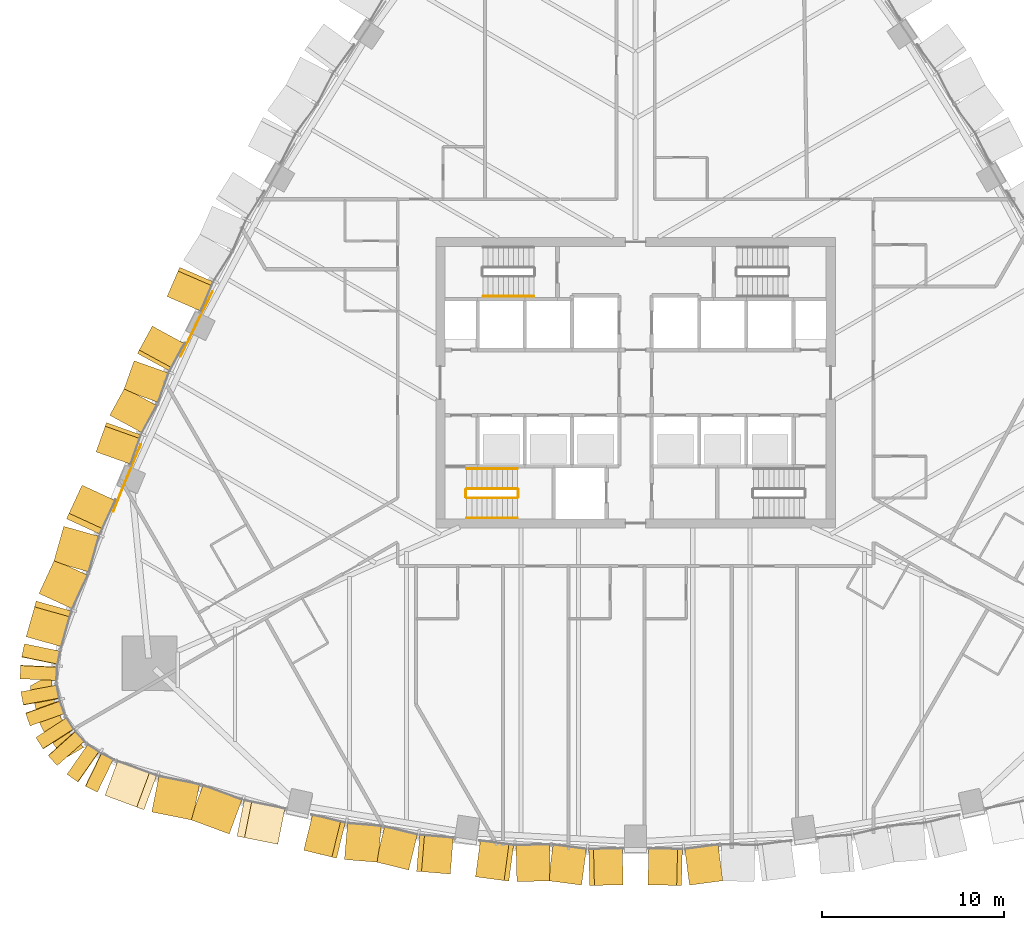
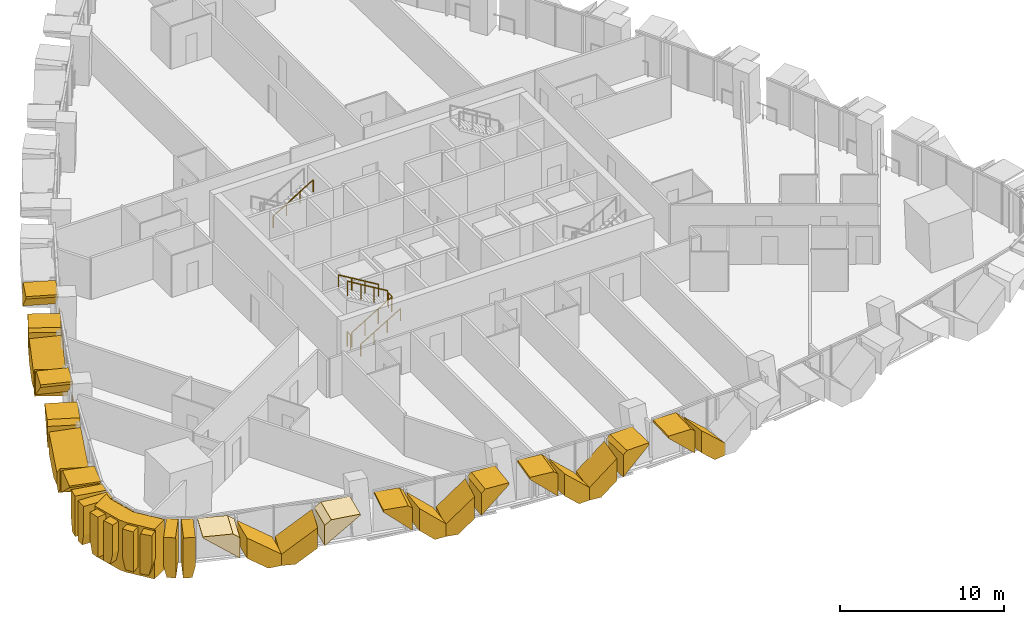
# One storey, part 18 of 22: 32 coverings, 9 railings.
"""IFC4 building model written with IfcOpenShell, lengths in metres."""

import ifcopenshell
import ifcopenshell.guid

model = None  # the IFC model being written
_history = None  # IfcOwnerHistory: only IFC2X3 demands one
_inside = {}  # id of a spatial element -> (the spatial element, [elements in it])
_under = {}  # id of a project, library or spatial element -> (it, [spatial elements below it])
_declared = {}  # id of a project -> (the project, [libraries it declares])
_typed = {}  # id of a type object -> (the type object, [elements of that type])
_made_of = {}  # id of a material, layer set ... -> (it, [elements and type objects made of it])


def new_model(schema):
    """Start an empty IFC model of exactly this schema.

    Asked for "IFC4X3", IfcOpenShell would pick the latest addendum, in which some entities
    have other attributes; the version numbers below select the first issue.
    IFC2X3 requires an IfcOwnerHistory on every rooted entity: one is made here for all.
    """
    global model, _history
    if schema == "IFC4X3":
        model = ifcopenshell.file(schema_version=(4, 3, 0, 0))
    else:
        model = ifcopenshell.file(schema=schema)
    _inside.clear()
    _under.clear()
    _declared.clear()
    _typed.clear()
    _made_of.clear()
    _history = None
    if model.schema == "IFC2X3":
        org = make("IfcOrganization", Name="unknown")
        user = make(
            "IfcPersonAndOrganization",
            ThePerson=make("IfcPerson", FamilyName="unknown"),
            TheOrganization=org,
        )
        app = make(
            "IfcApplication",
            ApplicationDeveloper=org,
            Version="unknown",
            ApplicationFullName="unknown",
            ApplicationIdentifier="unknown",
        )
        _history = make(
            "IfcOwnerHistory",
            OwningUser=user,
            OwningApplication=app,
            ChangeAction="ADDED",
            CreationDate=0,
        )
    return model


def make(cls, **values):
    """One entity of the class cls with the attributes given. An attribute that is None is left unset."""
    return model.create_entity(
        cls, **{name: value for name, value in values.items() if value is not None}
    )


def rooted(cls, **values):
    """An entity with a GlobalId (a new one), such as an element, a storey or a relation."""
    return make(cls, GlobalId=ifcopenshell.guid.new(), OwnerHistory=_history, **values)


def si_unit(unit_type, name, prefix=None):
    """IfcSIUnit, for example si_unit("LENGTHUNIT", "METRE", prefix="MILLI")."""
    return make("IfcSIUnit", UnitType=unit_type, Prefix=prefix, Name=name)


def assignment(units):
    """IfcUnitAssignment: the units of a project."""
    return None if units is None else make("IfcUnitAssignment", Units=units)


def point(xyz):
    """IfcCartesianPoint."""
    return None if xyz is None else make("IfcCartesianPoint", Coordinates=xyz)


def direction(xyz):
    """IfcDirection."""
    return None if xyz is None else make("IfcDirection", DirectionRatios=xyz)


def frame(location, z_axis=None, x_axis=None):
    """IfcAxis2Placement3D, a coordinate frame: its origin and axes. An axis left out is left unset."""
    return make(
        "IfcAxis2Placement3D",
        Location=point(location),
        Axis=direction(z_axis),
        RefDirection=direction(x_axis),
    )


def frame_2d(location, x_axis=None):
    """IfcAxis2Placement2D, a coordinate frame in the plane: its origin and x axis."""
    return make(
        "IfcAxis2Placement2D", Location=point(location), RefDirection=direction(x_axis)
    )


def origin():
    """The frame at (0, 0, 0) with its axes left unset."""
    return frame((0.0, 0.0, 0.0))


def origin_2d():
    """The frame at (0, 0) in the plane with its x axis left unset."""
    return frame_2d((0.0, 0.0))


def place(relative_to, where):
    """IfcLocalPlacement: puts the frame where relative to a parent placement (None: the world)."""
    return make(
        "IfcLocalPlacement", PlacementRelTo=relative_to, RelativePlacement=where
    )


def context(
    kind, dimensions, precision=None, world=None, true_north=None, identifier=None
):
    """IfcGeometricRepresentationContext, for example the 3D "Model" context."""
    return make(
        "IfcGeometricRepresentationContext",
        ContextIdentifier=identifier,
        ContextType=kind,
        CoordinateSpaceDimension=dimensions,
        Precision=precision,
        WorldCoordinateSystem=world,
        TrueNorth=true_north,
    )


def subcontext(parent, identifier, kind, view, scale=None):
    """IfcGeometricRepresentationSubContext, for example "Body" below "Model"."""
    return make(
        "IfcGeometricRepresentationSubContext",
        ContextIdentifier=identifier,
        ContextType=kind,
        ParentContext=parent,
        TargetScale=scale,
        TargetView=view,
    )


def project(units=None, contexts=None):
    """IfcProject with its units and contexts."""
    return rooted(
        "IfcProject",
        Name="project",
        RepresentationContexts=contexts,
        UnitsInContext=assignment(units),
    )


def spatial(cls, under=None, at=None, **own):
    """A site, building, storey or space (cls), placed at a placement, below another one or the project."""
    s = rooted(cls, ObjectPlacement=at, **own)
    if under is not None:
        _under.setdefault(under.id(), (under, []))[1].append(s)
    return s


def polyline(points):
    """IfcPolyline through the points."""
    return make("IfcPolyline", Points=[point(p) for p in points])


def profile(cls, at=None, kind="AREA", **sizes):
    """A parametric profile (cls). Its sizes go by their IFC names, for example OverallWidth=200.0."""
    return make(cls, ProfileType=kind, Position=at, **sizes)


def circle(**sizes):
    """IfcCircleProfileDef."""
    return profile("IfcCircleProfileDef", **sizes)


def outline(outer, holes=None, kind="AREA"):
    """IfcArbitraryClosedProfileDef: a profile drawn as a closed curve; with holes, ...WithVoids."""
    if holes is None:
        return make("IfcArbitraryClosedProfileDef", ProfileType=kind, OuterCurve=outer)
    return make(
        "IfcArbitraryProfileDefWithVoids",
        ProfileType=kind,
        OuterCurve=outer,
        InnerCurves=holes,
    )


def extrude(swept, where, along, depth):
    """IfcExtrudedAreaSolid: the profile swept, set in the frame where, extruded along a direction by depth."""
    return make(
        "IfcExtrudedAreaSolid",
        SweptArea=swept,
        Position=where,
        ExtrudedDirection=direction(along),
        Depth=depth,
    )


def shape(context_of_items, identifier, shape_type, items):
    """IfcShapeRepresentation: the items that make up one representation, for example the "Body"."""
    return make(
        "IfcShapeRepresentation",
        ContextOfItems=context_of_items,
        RepresentationIdentifier=identifier,
        RepresentationType=shape_type,
        Items=items,
    )


def material(Name=None, Category=None):
    """IfcMaterial."""
    return make("IfcMaterial", Name=Name, Category=Category)


def layer(
    of_material, thickness, ventilated=None, Name=None, Category=None, Priority=None
):
    """IfcMaterialLayer: one layer of a wall or slab, of a material (None: an air gap)."""
    return make(
        "IfcMaterialLayer",
        Material=of_material,
        LayerThickness=thickness,
        IsVentilated=ventilated,
        Name=Name,
        Category=Category,
        Priority=Priority,
    )


def layer_set(layers, Name=None):
    """IfcMaterialLayerSet."""
    return make("IfcMaterialLayerSet", MaterialLayers=layers, LayerSetName=Name)


def made_of(thing, what):
    """Note that an element or type object is made of a material, layer set ...; save() writes the relation."""
    if what is not None:
        _made_of.setdefault(what.id(), (what, []))[1].append(thing)
    return thing


def type_object(cls, material=None, **own):
    """A type object (cls), such as IfcWallType, which elements share."""
    return made_of(rooted(cls, **own), material)


def element(
    cls,
    number,
    at=None,
    inside=None,
    cuts=None,
    type_object=None,
    material=None,
    context=None,
    identifier="Body",
    shape_type=None,
    held_by="IfcProductDefinitionShape",
    body=None,
    shapes=None,
    **own,
):
    """One element of the class cls, such as IfcWall. Its Tag is "e" and its number.

    at: its placement. inside: the storey or other place that contains it. cuts: it is an
    opening in that element (IfcRelVoidsElement). A single representation is given by context,
    identifier, shape_type and body (its items); several are given by shapes. held_by: the class
    of the entity that holds the representations. save() writes the other relations.
    """
    e = rooted(cls, Tag="e%d" % number, ObjectPlacement=at, **own)
    if body is not None:
        shapes = [shape(context, identifier, shape_type, body)]
    if shapes is not None:
        e.Representation = make(held_by, Representations=shapes)
    if inside is not None:
        _inside.setdefault(inside.id(), (inside, []))[1].append(e)
    if cuts is not None:
        rooted(
            "IfcRelVoidsElement", RelatingBuildingElement=cuts, RelatedOpeningElement=e
        )
    if type_object is not None:
        _typed.setdefault(type_object.id(), (type_object, []))[1].append(e)
    return made_of(e, material)


def aggregate(whole, parts):
    """IfcRelAggregates: a whole, such as a stair, and the parts it consists of."""
    return rooted("IfcRelAggregates", RelatingObject=whole, RelatedObjects=parts)


def save(model, path):
    """Write the relations noted so far, then the file.

    IfcRelAggregates (storeys below a building ...), IfcRelContainedInSpatialStructure (elements
    in a storey), IfcRelDefinesByType, IfcRelAssociatesMaterial and IfcRelDeclares: one each for
    every whole, place, type object, material and project.
    """
    for whole, parts in _under.values():
        aggregate(whole, parts)
    for where, things in _inside.values():
        rooted(
            "IfcRelContainedInSpatialStructure",
            RelatedElements=things,
            RelatingStructure=where,
        )
    for kind, things in _typed.values():
        rooted("IfcRelDefinesByType", RelatedObjects=things, RelatingType=kind)
    for what, things in _made_of.values():
        rooted("IfcRelAssociatesMaterial", RelatedObjects=things, RelatingMaterial=what)
    for by, libraries in _declared.values():
        rooted("IfcRelDeclares", RelatingContext=by, RelatedDefinitions=libraries)
    model.write(path)


model = new_model("IFC4")

# Units and contexts
model_context = context("Model", 3, precision=1e-05, world=origin(), true_north=direction((0.0, 1.0)))
body_context = subcontext(model_context, "Body", "Model", "MODEL_VIEW")
ifc_project = project(units=[si_unit("LENGTHUNIT", "METRE"), si_unit("AREAUNIT", "SQUARE_METRE"), si_unit("VOLUMEUNIT", "CUBIC_METRE"), si_unit("PLANEANGLEUNIT", "RADIAN"), si_unit("MASSUNIT", "GRAM", prefix="KILO")], contexts=[model_context])

# Site, building, storey
site_placement = place(None, origin())
site = spatial("IfcSite", under=ifc_project, at=site_placement, CompositionType="ELEMENT")
building_placement = place(site_placement, origin())
building = spatial("IfcBuilding", under=site, at=building_placement, Name="Sierra Prisma Convention Tower", CompositionType="ELEMENT")
storey_placement = place(building_placement, frame((0.0, 0.0, 62.800048828125)))
storey = spatial("IfcBuildingStorey", under=building, at=storey_placement, Name="L11", CompositionType="ELEMENT", Elevation=62.800048828125)

# Coverings
ifc_material_1 = material(Name="Aluminium composite bronze anodised", Category="aluminium")
ifc_layer_1 = layer(ifc_material_1, 1.199951171875)
ifc_layer_set_1 = layer_set([ifc_layer_1], Name="Bronze corner pier")
covering_type_1 = type_object("IfcCoveringType", Name="Bronze corner pier", PredefinedType="CLADDING", material=ifc_layer_set_1)
covering_1_placement = place(storey_placement, frame((0.0, 0.0, -0.60009765625)))
element("IfcCovering", 1, at=covering_1_placement, inside=storey, type_object=covering_type_1, Name="Corner pier SW L11.1", PredefinedType="CLADDING", context=body_context, shape_type="SweptSolid", body=[
    extrude(outline(polyline([(-32.602294921875, -19.192626953125), (-32.806640625, -18.777099609375), (-33.322265625, -16.860107421875), (-33.3330078125, -16.70458984375), (-32.0927734375, -15.988525390625), (-32.16357421875, -16.548095703125), (-31.647705078125, -18.465087890625), (-30.4443359375, -20.044189453125), (-30.381591796875, -20.0810546875), (-31.453369140625, -20.699951171875), (-32.602294921875, -19.192626953125)])), origin(), (0.0, 0.0, 1.0), 3.699951171875),
])
ifc_material_2 = material(Name="Aluminium 6063-T6 bronze anodised", Category="aluminium")
ifc_layer_2 = layer(ifc_material_2, 2.0)
ifc_layer_set_2 = layer_set([ifc_layer_2], Name="Bronze crystal chevron frame")
covering_type_2 = type_object("IfcCoveringType", Name="Bronze crystal chevron frame", PredefinedType="CLADDING", material=ifc_layer_set_2)
covering_2_placement = place(storey_placement, frame((-29.220947265625, -22.72900390625, 2.97998046875), z_axis=(-0.347314409552, -0.937748740449, -2.653872e-05), x_axis=(9.21728e-06, 2.4886651e-05, -0.999999999648)))
element("IfcCovering", 2, at=covering_2_placement, inside=storey, type_object=covering_type_2, Name="CW-2 chevron frame S1.1.1", PredefinedType="CLADDING", context=body_context, shape_type="SweptSolid", body=[
    extrude(outline(polyline([(0.0, 0.0), (0.08178710934619852, 0.0), (1.8361816402069058, 2.289493520195236), (0.3244628907392602, 2.289493520195236), (-1.1223119761182454e-09, 1.8661871903293725), (0.0, 0.0)])), origin(), (0.0, 0.0, -1.0), 2.0),
])
covering_3_placement = place(storey_placement, frame((-26.647216796875, -23.64501953125, 2.555908203125), z_axis=(-0.196226311809, -0.980558633771, -1.707995e-05), x_axis=(3.351536e-06, 1.6747892e-05, -0.999999999854)))
element("IfcCovering", 3, at=covering_3_placement, inside=storey, type_object=covering_type_2, Name="CW-2 chevron frame S1.1.2", PredefinedType="CLADDING", context=body_context, shape_type="SweptSolid", body=[
    extrude(outline(polyline([(0.0, 0.0), (1.5117187497794973, 0.0), (2.5559082037317036, 1.362662405974513), (2.555908203056805, 2.289378186674131), (1.7541503906737514, 2.289378186674131), (0.0, 0.0)])), origin(), (0.0, 0.0, -1.0), 2.0),
])
covering_4_placement = place(storey_placement, frame((-24.52197265625, -24.060302734375, 0.0), z_axis=(-0.347306117364, -0.937751811898, -1.1142214e-05), x_axis=(0.937751811956, -0.347306117386, -3.1e-10)))
element("IfcCovering", 4, at=covering_4_placement, inside=storey, type_object=covering_type_2, Name="CW-2 chevron frame S1.2.1", PredefinedType="CLADDING", context=body_context, shape_type="SweptSolid", body=[
    extrude(outline(polyline([(0.0, 0.0), (0.9265644925452161, 0.0), (2.2894935198581896, 1.0441894538995127), (2.2894935193895884, 2.555908203805674), (-2.485281753237618e-10, 0.8017578124502314), (0.0, 0.0)])), origin(), (0.0, 0.0, -1.0), 2.0),
])
covering_5_placement = place(storey_placement, frame((-19.703369140625, -25.425537109375, 2.97998046875), z_axis=(-0.196221983517, -0.980559499784, 2.3821544e-05), x_axis=(-0.980559500063, 0.196221983572, 4.85e-10)))
element("IfcCovering", 5, at=covering_5_placement, inside=storey, type_object=covering_type_2, Name="CW-2 chevron frame S1.2.2", PredefinedType="CLADDING", context=body_context, shape_type="SweptSolid", body=[
    extrude(outline(polyline([(0.0, 0.0), (1.8661197334783672, 0.0), (2.2893781865733276, 0.32446289182641835), (2.2893781858407984, 1.8361816413974938), (-3.963134772059544e-11, 0.0817871093517943), (0.0, 0.0)])), origin(), (0.0, 0.0, -1.0), 2.0),
])
covering_6_placement = place(storey_placement, frame((-18.271484375, -25.74951171875, 2.97998046875), z_axis=(-0.237489001351, -0.971390226692, 4.1534181e-05), x_axis=(-9.863911e-06, -4.0345897e-05, -0.999999999137)))
element("IfcCovering", 6, at=covering_6_placement, inside=storey, type_object=covering_type_2, Name="CW-2 chevron frame S2.1.1", PredefinedType="CLADDING", context=body_context, shape_type="SweptSolid", body=[
    extrude(outline(polyline([(0.0, 0.0), (0.15649414049001692, -2.6511138632324537e-22), (1.8898925769244719, 1.8585963982896383), (0.2490234377147937, 1.8585963982896383), (-3.1006101649134078e-09, 1.5916619349007333), (0.0, 0.0)])), origin(), (0.0, 0.0, -1.0), 2.0),
])
covering_7_placement = place(storey_placement, frame((-16.0283203125, -26.261962890625, 2.60986328125), z_axis=(-0.082613594583, -0.996581653799, 3.6071506e-05), x_axis=(-2.979997e-06, -3.5948201e-05, -0.999999999349)))
element("IfcCovering", 7, at=covering_7_placement, inside=storey, type_object=covering_type_2, Name="CW-2 chevron frame S2.1.2", PredefinedType="CLADDING", context=body_context, shape_type="SweptSolid", body=[
    extrude(outline(polyline([(0.0, 0.0), (1.6411132801823298, 0.0), (2.6098632840883322, 1.0387173340257025), (2.6098632808125766, 1.8584063431798798), (1.733398437632784, 1.8584063431798798), (0.0, 0.0)])), origin(), (0.0, 0.0, -1.0), 2.0),
])
covering_8_placement = place(storey_placement, frame((-13.502685546875, -26.59033203125, 0.0), z_axis=(-0.237482976747, -0.971391700215, -2.2575844e-05), x_axis=(0.710479245985, -0.173711718567, 0.681940965082)))
element("IfcCovering", 8, at=covering_8_placement, inside=storey, type_object=covering_type_2, Name="CW-2 chevron frame S2.2.1", PredefinedType="CLADDING", context=body_context, shape_type="SweptSolid", body=[
    extrude(outline(polyline([(0.0, 0.0), (1.4205775146042332, -1.1102230246251565e-16), (2.5397198894288975, 1.2003221006855973), (-0.0017463369653929472, 1.1999549919771577), (-0.5994436183727931, 0.5589022782816365), (0.0, 0.0)])), origin(), (0.0, 0.0, -1.0), 2.0),
])
covering_9_placement = place(storey_placement, frame((-10.20361328125, -27.061767578125, 2.97998046875), z_axis=(-0.082620947547, -0.996581041239, -8.5261617e-05), x_axis=(-0.996581044861, 0.082620947846, 8.209e-09)))
element("IfcCovering", 9, at=covering_9_placement, inside=storey, type_object=covering_type_2, Name="CW-2 chevron frame S2.2.2", PredefinedType="CLADDING", context=body_context, shape_type="SweptSolid", body=[
    extrude(outline(polyline([(0.0, 0.0), (1.5916106246107486, 0.0), (1.8584063413428187, 0.24902345366136), (1.8584063278724303, 1.8898925883221755), (-1.2847074647066247e-09, 0.15649414005617954), (0.0, 0.0)])), origin(), (0.0, 0.0, -1.0), 2.0),
])
covering_10_placement = place(storey_placement, frame((-8.813232421875, -27.2138671875, 2.97998046875), z_axis=(-0.131863824942, -0.991267839424, 4.6858179e-05), x_axis=(-6.178899e-06, -4.6449006e-05, -0.999999998902)))
element("IfcCovering", 10, at=covering_10_placement, inside=storey, type_object=covering_type_2, Name="CW-2 chevron frame S3.1.1", PredefinedType="CLADDING", context=body_context, shape_type="SweptSolid", body=[
    extrude(outline(polyline([(0.0, 0.0), (0.1579589842015856, 2.6759292816090445e-22), (1.8911132797168773, 1.8513730913613498), (0.2473144533965128, 1.8513730913613498), (-3.956099776205297e-09, 1.5873360669432932), (0.0, 0.0)])), origin(), (0.0, 0.0, -1.0), 2.0),
])
covering_11_placement = place(storey_placement, frame((-6.53515625, -27.481689453125, 2.61083984375), z_axis=(0.024944917786, -0.999688826244, 4.1956985e-05), x_axis=(1.046614e-06, -4.1943929e-05, -0.99999999912)))
element("IfcCovering", 11, at=covering_11_placement, inside=storey, type_object=covering_type_2, Name="CW-2 chevron frame S3.1.2", PredefinedType="CLADDING", context=body_context, shape_type="SweptSolid", body=[
    extrude(outline(polyline([(0.0, 0.0), (1.6435546860533525, 0.0), (2.6108398475935437, 1.0335210773331245), (2.6108398431547517, 1.851405172824448), (1.7329101564275, 1.851405172824448), (0.0, 0.0)])), origin(), (0.0, 0.0, -1.0), 2.0),
])
covering_12_placement = place(storey_placement, frame((-4.808349609375, -27.428955078125, 0.0), z_axis=(-0.131747414179, -0.991283318066, 4.6699911e-05), x_axis=(0.991283319147, -0.131747414323, -6.721e-09)))
element("IfcCovering", 12, at=covering_12_placement, inside=storey, type_object=covering_type_2, Name="CW-2 chevron frame S3.2.1", PredefinedType="CLADDING", context=body_context, shape_type="SweptSolid", body=[
    extrude(outline(polyline([(0.0, 0.0), (0.8181825056975794, 0.0), (1.8515829183660586, 0.9672851697493793), (1.851582907319618, 2.6108398554571797), (-5.900623943968135e-09, 0.8779296865426695), (0.0, 0.0)])), origin(), (0.0, 0.0, -1.0), 2.0),
])
covering_13_placement = place(storey_placement, frame((-0.67919921875, -27.650634765625, 2.97998046875), z_axis=(0.024922600277, -0.999689383752, 3.021549e-06), x_axis=(-0.999689383756, -0.024922600277, 1e-11)))
element("IfcCovering", 13, at=covering_13_placement, inside=storey, type_object=covering_type_2, Name="CW-2 chevron frame S3.2.2", PredefinedType="CLADDING", context=body_context, shape_type="SweptSolid", body=[
    extrude(outline(polyline([(0.0, 0.0), (1.5871627847359155, 2.6469779601696886e-23), (1.851405173266556, 0.24731445314531728), (1.8514051732495194, 1.8911132812628138), (-1.6371127341442032e-12, 0.15795898437427897), (0.0, 0.0)])), origin(), (0.0, 0.0, -1.0), 2.0),
])
covering_14_placement = place(storey_placement, frame((0.67919921875, -27.650634765625, 2.97998046875), z_axis=(-0.024922600277, -0.999689383752, 3.021549e-06), x_axis=(-7.5305e-08, -3.020611e-06, -0.999999999995)))
element("IfcCovering", 14, at=covering_14_placement, inside=storey, type_object=covering_type_2, Name="CW-2 chevron frame S4.1.1", PredefinedType="CLADDING", context=body_context, shape_type="SweptSolid", body=[
    extrude(outline(polyline([(0.0, 0.0), (0.15795898437427894, 0.0), (1.8911132812436253, 1.8514051732691192), (0.24731445312612896, 1.8514051732691192), (-1.644961453977317e-11, 1.5871627847359155), (0.0, 0.0)])), origin(), (0.0, 0.0, -1.0), 2.0),
])
covering_15_placement = place(storey_placement, frame((2.972900390625, -27.6728515625, 2.61083984375), z_axis=(0.131747414179, -0.991283318066, 4.6699911e-05), x_axis=(6.152593e-06, -4.6292843e-05, -0.99999999891)))
element("IfcCovering", 15, at=covering_15_placement, inside=storey, type_object=covering_type_2, Name="CW-2 chevron frame S4.1.2", PredefinedType="CLADDING", context=body_context, shape_type="SweptSolid", body=[
    extrude(outline(polyline([(0.0, 0.0), (1.6435546857078007, 0.0), (2.6108398485116275, 1.0334004191696675), (2.610839843012568, 1.8515829248672466), (1.7329101564698985, 1.8515829248672466), (0.0, 0.0)])), origin(), (0.0, 0.0, -1.0), 2.0),
])
covering_16_placement = place(storey_placement, frame((-25.7998046875, 4.7451171875, 2.97998046875), z_axis=(-0.917642473934, 0.397406947376, 9.0601727e-05), x_axis=(0.397406949008, 0.9176424777, 1.004e-08)))
element("IfcCovering", 16, at=covering_16_placement, inside=storey, type_object=covering_type_2, Name="CW-2 chevron frame NW4.2.2", PredefinedType="CLADDING", context=body_context, shape_type="SweptSolid", body=[
    extrude(outline(polyline([(0.0, 0.0), (1.5256154366381935, 0.0), (1.752741860208385, 0.22363283101531456), (1.7527418432953743, 1.908203136601271), (-1.8212126197407515e-09, 0.18139648363048777), (0.0, 0.0)])), origin(), (0.0, 0.0, -1.0), 2.0),
])
covering_17_placement = place(storey_placement, frame((-26.615478515625, 3.11474609375, 2.97998046875), z_axis=(-0.878184660227, 0.478321756265, 5.085059e-06), x_axis=(-4.465621e-06, 2.432295e-06, -0.999999999987)))
element("IfcCovering", 17, at=covering_17_placement, inside=storey, type_object=covering_type_2, Name="CW-2 chevron frame NW5.1.1", PredefinedType="CLADDING", context=body_context, shape_type="SweptSolid", body=[
    extrude(outline(polyline([(0.0, 0.0), (0.19213867187251588, -8.13738927599041e-23), (1.9162597656057299, 1.7114056682625793), (0.21289062500275246, 1.7114056682625793), (-4.901371561432649e-11, 1.5001152510562104), (0.0, 0.0)])), origin(), (0.0, 0.0, -1.0), 2.0),
])
covering_18_placement = place(storey_placement, frame((-27.614990234375, 1.20703125, 2.63623046875), z_axis=(-0.942136416176, 0.335229729418, 4.2775434e-05), x_axis=(-4.0300295e-05, 1.4339597e-05, -0.999999999085)))
element("IfcCovering", 18, at=covering_18_placement, inside=storey, type_object=covering_type_2, Name="CW-2 chevron frame NW5.1.2", PredefinedType="CLADDING", context=body_context, shape_type="SweptSolid", body=[
    extrude(outline(polyline([(0.0, 0.0), (1.7033691390666406, 0.0), (2.6362304728307264, 0.9259437583705208), (2.6362304680450865, 1.711342471428286), (1.724121093879547, 1.711342471428286), (0.0, 0.0)])), origin(), (0.0, 0.0, -1.0), 2.0),
])
covering_19_placement = place(storey_placement, frame((-28.137939453125, -0.2919921875, 0.0), z_axis=(-0.878127314175, 0.478427026805, -1.1053319e-05), x_axis=(-0.478427026834, -0.878127314229, -4.07e-10)))
element("IfcCovering", 19, at=covering_19_placement, inside=storey, type_object=covering_type_2, Name="CW-2 chevron frame NW5.2.1", PredefinedType="CLADDING", context=body_context, shape_type="SweptSolid", body=[
    extrude(outline(polyline([(0.0, 0.0), (0.7854025529770596, 0.0), (1.7115224591893183, 0.9328613288783355), (1.7115224584962867, 2.63623046939928), (-3.7110020067127506e-10, 0.9121093749442811), (0.0, 0.0)])), origin(), (0.0, 0.0, -1.0), 2.0),
])
covering_20_placement = place(storey_placement, frame((-29.71142578125, -3.81201171875, 2.97998046875), z_axis=(-0.942128537407, 0.33525187397, 1.505493e-06), x_axis=(0.33525187397, 0.942128537408, 3e-12)))
element("IfcCovering", 20, at=covering_20_placement, inside=storey, type_object=covering_type_2, Name="CW-2 chevron frame NW5.2.2", PredefinedType="CLADDING", context=body_context, shape_type="SweptSolid", body=[
    extrude(outline(polyline([(0.0, 0.0), (1.5001467195889617, 0.0), (1.711342471892864, 0.2128906250051423), (1.711342471887986, 1.916259765628212), (-5.502551207768557e-13, 0.19213867187478229), (0.0, 0.0)])), origin(), (0.0, 0.0, -1.0), 2.0),
])
covering_21_placement = place(storey_placement, frame((-30.4833984375, -5.644287109375, 2.97998046875), z_axis=(-0.908172965385, 0.4185951086, -1.9606e-07), x_axis=(1.78056e-07, -8.207e-08, -1.0)))
element("IfcCovering", 21, at=covering_21_placement, inside=storey, type_object=covering_type_2, Name="CW-2 chevron frame NW6.1.1", PredefinedType="CLADDING", context=body_context, shape_type="SweptSolid", body=[
    extrude(outline(polyline([(0.0, 0.0), (0.12060546874999768, 0.0), (1.8637695312499751, 2.0395838337768724), (0.28515625000000544, 2.0395838337768724), (-6.531689903121701e-14, 1.7059707839326428), (0.0, 0.0)])), origin(), (0.0, 0.0, -1.0), 2.0),
])
covering_22_placement = place(storey_placement, frame((-31.490478515625, -7.91259765625, 2.583740234375), z_axis=(-0.962457627095, 0.271431973147, -4.93028e-07), x_axis=(4.74519e-07, -1.33824e-07, -1.0)))
element("IfcCovering", 22, at=covering_22_placement, inside=storey, type_object=covering_type_2, Name="CW-2 chevron frame NW6.1.2", PredefinedType="CLADDING", context=body_context, shape_type="SweptSolid", body=[
    extrude(outline(polyline([(0.0, 0.0), (1.5786132812498082, 0.0), (2.5837402343755183, 1.1764920642928076), (2.5837402343749303, 2.039963855516644), (1.7431640625000324, 2.039963855516644), (0.0, 0.0)])), origin(), (0.0, 0.0, -1.0), 2.0),
])
covering_23_placement = place(storey_placement, frame((-32.001220703125, -9.759521484375, 0.0), z_axis=(-0.908180613768, 0.418578512833, -3.7024406e-05), x_axis=(-0.41857851312, -0.90818061439, -3.841e-09)))
element("IfcCovering", 23, at=covering_23_placement, inside=storey, type_object=covering_type_2, Name="CW-2 chevron frame NW6.2.1", PredefinedType="CLADDING", context=body_context, shape_type="SweptSolid", body=[
    extrude(outline(polyline([(0.0, 0.0), (0.8634209796970409, 1.6940658945086007e-21), (2.0395838295768605, 1.0051269616475837), (2.039583823513697, 2.583740241815597), (-3.228498344278231e-09, 0.8405761712988664), (0.0, 0.0)])), origin(), (0.0, 0.0, -1.0), 2.0),
])
covering_24_placement = place(storey_placement, frame((-33.56201171875, -13.9912109375, 2.97998046875), z_axis=(-0.962457060128, 0.271433983008, 1.6677206e-05), x_axis=(0.271433983045, 0.962457060262, 2.77e-10)))
element("IfcCovering", 24, at=covering_24_placement, inside=storey, type_object=covering_type_2, Name="CW-2 chevron frame NW6.2.2", PredefinedType="CLADDING", context=body_context, shape_type="SweptSolid", body=[
    extrude(outline(polyline([(0.0, 0.0), (1.706151477822051, 1.6940658945086007e-21), (2.039963855432173, 0.2851562506047232), (2.039963854994898, 1.863769531635194), (-3.3407601243566526e-11, 0.12060546873322806), (0.0, 0.0)])), origin(), (0.0, 0.0, -1.0), 2.0),
])
covering_25_placement = place(storey_placement, frame((-33.65673828125, -14.3798828125, 2.97998046875), z_axis=(-0.979213870913, 0.202830456512, 3.0361955e-05), x_axis=(-2.9730848e-05, 6.158329e-06, -0.999999999539)))
element("IfcCovering", 25, at=covering_25_placement, inside=storey, type_object=covering_type_2, Name="CW-2 chevron frame SW1.1.1", PredefinedType="CLADDING", context=body_context, shape_type="SweptSolid", body=[
    extrude(outline(polyline([(0.0, 0.0), (2.1345214833911474, 0.0), (2.9799804707345743, 0.20047867158945396), (2.9799804678892725, 0.7522112512905238), (0.10449218796465477, 0.7522112512905238), (-1.5660098621676874e-09, 0.7272647603908182), (0.0, 0.0)])), origin(), (0.0, 0.0, -1.0), 2.0),
])
covering_26_placement = place(storey_placement, frame((-33.864990234375, -15.556396484375, 0.0), z_axis=(-0.998892114101, 0.047058942783, 1.7064717e-05), x_axis=(-0.04705894279, -0.998892114246, 2.488e-09)))
element("IfcCovering", 26, at=covering_26_placement, inside=storey, type_object=covering_type_2, Name="CW-2 chevron frame SW1.1.2", PredefinedType="CLADDING", context=body_context, shape_type="SweptSolid", body=[
    extrude(outline(polyline([(0.0, 0.0), (0.5516327514134983, 5.293955920339377e-23), (0.7520543434710704, 0.8454589822181162), (0.7520543487824236, 2.979980466282325), (0.024676848066982948, 2.979980471410114), (7.155109070393085e-09, 2.8754882808313225), (0.0, 0.0)])), origin(), (0.0, 0.0, -1.0), 2.0),
])
covering_27_placement = place(storey_placement, frame((-33.85107421875, -17.024169921875, 2.97998046875), z_axis=(-0.983088644382, -0.183130324468, 3.9333451e-05), x_axis=(-3.8668269e-05, -7.203148e-06, -0.999999999226)))
element("IfcCovering", 27, at=covering_27_placement, inside=storey, type_object=covering_type_2, Name="CW-2 chevron frame SW2.1.1", PredefinedType="CLADDING", context=body_context, shape_type="SweptSolid", body=[
    extrude(outline(polyline([(0.0, 0.0), (2.1345214827238195, 1.8080100238877802e-21), (2.979980469545342, 0.20039601692420575), (2.97998046698859, 0.7519721485770787), (0.10449218796295262, 0.7519721485770787), (-5.385396588624317e-09, 0.7271661890172066), (0.0, 0.0)])), origin(), (0.0, 0.0, -1.0), 2.0),
])
covering_28_placement = place(storey_placement, frame((-33.413330078125, -18.71142578125, 0.0), z_axis=(-0.942322413244, -0.334706541419, -2.5097434e-05), x_axis=(0.077194216415, -0.217403162822, 0.973024623402)))
element("IfcCovering", 28, at=covering_28_placement, inside=storey, type_object=covering_type_2, Name="CW-2 chevron frame SW2.1.2", PredefinedType="CLADDING", context=body_context, shape_type="SweptSolid", body=[
    extrude(outline(polyline([(0.0, 0.0), (0.8688978354892297, 2.7755575615628914e-17), (2.9458397989671408, 0.4924368433952926), (2.778010034570103, 1.2002893941472474), (2.670653481190621, 1.200152350996831), (-0.127267420770129, 0.5367735174717533), (0.0, 0.0)])), origin(), (0.0, 0.0, -1.0), 2.0),
])
covering_29_placement = place(storey_placement, frame((-33.029296875, -19.544921875, 2.97998046875), z_axis=(-0.84047336204, -0.541852863517, 4.470898e-05), x_axis=(-3.7576706e-05, -2.4225689e-05, -0.999999999001)))
element("IfcCovering", 29, at=covering_29_placement, inside=storey, type_object=covering_type_2, Name="CW-2 chevron frame SW3.1.1", PredefinedType="CLADDING", context=body_context, shape_type="SweptSolid", body=[
    extrude(outline(polyline([(0.0, 0.0), (2.1345214822416603, 0.0), (2.9799804735029944, 0.20031965137438873), (2.9799804669398484, 0.7520356363796791), (0.10449218856374494, 0.7520356363796791), (-2.9066179820730554e-09, 0.7271131225293526), (0.0, 0.0)])), origin(), (0.0, 0.0, -1.0), 2.0),
])
covering_30_placement = place(storey_placement, frame((-32.35302734375, -20.529541015625, 0.0), z_axis=(-0.745301361031, -0.666727741292, -1.5376713e-05), x_axis=(0.666727741371, -0.745301361119, 2.353e-09)))
element("IfcCovering", 30, at=covering_30_placement, inside=storey, type_object=covering_type_2, Name="CW-2 chevron frame SW3.1.2", PredefinedType="CLADDING", context=body_context, shape_type="SweptSolid", body=[
    extrude(outline(polyline([(0.0, 0.0), (0.5515574879466983, 8.470329472543003e-22), (0.7521168735482137, 0.8454589823474755), (0.7521168785701446, 2.979980466470129), (0.024734787801324324, 2.9799804711029507), (6.765218384055266e-09, 2.875488280910055), (0.0, 0.0)])), origin(), (0.0, 0.0, -1.0), 2.0),
])
covering_31_placement = place(storey_placement, frame((-31.314208984375, -21.566650390625, 2.97998046875), z_axis=(-0.572322150909, -0.820028874758, -1.1934349e-05), x_axis=(6.830292e-06, 9.78651e-06, -0.999999999929)))
element("IfcCovering", 31, at=covering_31_placement, inside=storey, type_object=covering_type_2, Name="CW-2 chevron frame SW4.1.1", PredefinedType="CLADDING", context=body_context, shape_type="SweptSolid", body=[
    extrude(outline(polyline([(0.0, 0.0), (2.134521484222992, 0.0), (2.9799804678362802, 0.20040792082462305), (2.979980468464496, 0.7520500219506887), (0.10449218741927138, 0.7520500219506887), (-1.5691189982055745e-09, 0.7271288524585884), (0.0, 0.0)])), origin(), (0.0, 0.0, -1.0), 2.0),
])
covering_32_placement = place(storey_placement, frame((-30.315185546875, -22.2216796875, 0.0), z_axis=(-0.437308317583, -0.899311644679, -3.3426879e-05), x_axis=(0.899311645182, -0.437308317827, -1.34e-09)))
element("IfcCovering", 32, at=covering_32_placement, inside=storey, type_object=covering_type_2, Name="CW-2 chevron frame SW4.1.2", PredefinedType="CLADDING", context=body_context, shape_type="SweptSolid", body=[
    extrude(outline(polyline([(0.0, 0.0), (0.5516264357964311, 0.0), (0.7519891495665709, 0.8454589851451403), (0.751989146705674, 2.97998046832763), (0.024784232825697187, 2.979980472618519), (-3.8540140065493055e-09, 2.8754882796435277), (0.0, 0.0)])), origin(), (0.0, 0.0, -1.0), 2.0),
])

# Railings
ifc_material_3 = material(Name="Stainless steel", Category="steel")
railing_type_1 = type_object("IfcRailingType", Name="Exit stair handrail", PredefinedType="HANDRAIL", material=ifc_material_3)
railing_1_placement = place(storey_placement, frame((-9.300048828125, -7.449951171875, 0.168212890625)))
element("IfcRailing", 33, at=railing_1_placement, inside=storey, type_object=railing_type_1, Name="L11 S1 stair handrail 1", PredefinedType="HANDRAIL", context=body_context, shape_type="SweptSolid", body=[
    extrude(circle(Radius=0.02392578125, at=origin_2d()), frame((0.0, 0.0, 0.8759765625), z_axis=(0.857275202839, 0.0, 0.514858452973), x_axis=(0.0, 1.0, 0.0)), (0.0, 0.0, 1.0), 3.26611328125),
    extrude(circle(Radius=0.02099609375, at=origin_2d()), origin(), (0.0, 0.0, 1.0), 0.851806640625),
    extrude(circle(Radius=0.02099609375, at=origin_2d()), frame((0.933349609375, 0.0, 0.560546875)), (0.0, 0.0, 1.0), 0.851806640625),
    extrude(circle(Radius=0.02099609375, at=origin_2d()), frame((1.86669921875, 0.0, 1.12109375)), (0.0, 0.0, 1.0), 0.851806640625),
    extrude(circle(Radius=0.02099609375, at=origin_2d()), frame((2.800048828125, 0.0, 1.681640625)), (0.0, 0.0, 1.0), 0.851806640625),
])
railing_2_placement = place(storey_placement, frame((-6.5, -4.75, 2.01806640625)))
element("IfcRailing", 34, at=railing_2_placement, inside=storey, type_object=railing_type_1, Name="L11 S1 stair handrail 2", PredefinedType="HANDRAIL", context=body_context, shape_type="SweptSolid", body=[
    extrude(circle(Radius=0.02392578125, at=origin_2d()), frame((0.0, 0.0, 0.8759765625), z_axis=(-0.857242210791, 0.0, 0.514913383045), x_axis=(0.0, -1.0, 0.0)), (0.0, 0.0, 1.0), 3.266357421875),
    extrude(circle(Radius=0.02099609375, at=origin_2d()), origin(), (0.0, 0.0, 1.0), 0.851806640625),
    extrude(circle(Radius=0.02099609375, at=origin_2d()), frame((-0.933349609375, 0.0, 0.560546875)), (0.0, 0.0, 1.0), 0.851806640625),
    extrude(circle(Radius=0.02099609375, at=origin_2d()), frame((-1.86669921875, 0.0, 1.121337890625)), (0.0, 0.0, 1.0), 0.851806640625),
    extrude(circle(Radius=0.02099609375, at=origin_2d()), frame((-2.800048828125, 0.0, 1.681884765625)), (0.0, 0.0, 1.0), 0.851806640625),
])
railing_3_placement = place(storey_placement, frame((-8.39990234375, 4.75, 2.01806640625)))
element("IfcRailing", 35, at=railing_3_placement, inside=storey, type_object=railing_type_1, Name="L11 S3 stair handrail 2", PredefinedType="HANDRAIL", context=body_context, shape_type="SweptSolid", body=[
    extrude(circle(Radius=0.02392578125, at=origin_2d()), frame((0.0, 0.0, 0.8759765625), z_axis=(0.857222391501, 0.0, 0.514946377315), x_axis=(0.0, 1.0, 0.0)), (0.0, 0.0, 1.0), 3.26611328125),
    extrude(circle(Radius=0.02099609375, at=origin_2d()), origin(), (0.0, 0.0, 1.0), 0.851806640625),
    extrude(circle(Radius=0.02099609375, at=origin_2d()), frame((0.933349609375, 0.0, 0.560546875)), (0.0, 0.0, 1.0), 0.851806640625),
    extrude(circle(Radius=0.02099609375, at=origin_2d()), frame((1.866455078125, 0.0, 1.121337890625)), (0.0, 0.0, 1.0), 0.851806640625),
    extrude(circle(Radius=0.02099609375, at=origin_2d()), frame((2.7998046875, 0.0, 1.681884765625)), (0.0, 0.0, 1.0), 0.851806640625),
])
ifc_material_4 = material(Name="Bronze anodised aluminium", Category="aluminium")
railing_type_2 = type_object("IfcRailingType", Name="Facade guard 1100", PredefinedType="GUARDRAIL", material=ifc_material_4)
railing_4_placement = place(storey_placement, frame((-23.29541015625, 5.013671875, 0.0)))
element("IfcRailing", 36, at=railing_4_placement, inside=storey, type_object=railing_type_2, Name="Facade guard", PredefinedType="GUARDRAIL", context=body_context, shape_type="SweptSolid", body=[
    extrude(circle(Radius=0.02392578125, at=origin_2d()), frame((0.0, 0.0, 1.076171875), z_axis=(-0.448776422896, -0.893644069109, 0.0), x_axis=(0.893644069109, -0.448776422896, 0.0)), (0.0, 0.0, 1.0), 0.999267578125),
    extrude(circle(Radius=0.02392578125, at=origin_2d()), frame((-0.448486328125, -0.89306640625, 1.076171875), z_axis=(-0.4472135955, -0.894427191, 0.0), x_axis=(0.894427191, -0.4472135955, 0.0)), (0.0, 0.0, 1.0), 0.99462890625),
    extrude(circle(Radius=0.02392578125, at=origin_2d()), frame((-0.893310546875, -1.78271484375, 1.076171875), z_axis=(-0.436339405169, -0.899782153356, 0.0), x_axis=(0.899782153356, -0.436339405169, 0.0)), (0.0, 0.0, 1.0), 0.999755859375),
    extrude(circle(Radius=0.02392578125, at=origin_2d()), frame((-1.32958984375, -2.682373046875, 1.076171875), z_axis=(-0.434206717689, -0.900813258292, 0.0), x_axis=(0.900813258292, -0.434206717689, 0.0)), (0.0, 0.0, 1.0), 0.99462890625),
    extrude(circle(Radius=0.02099609375, at=origin_2d()), origin(), (0.0, 0.0, 1.0), 1.052001953125),
    extrude(circle(Radius=0.02099609375, at=origin_2d()), frame((-0.448486328125, -0.89306640625, 0.0)), (0.0, 0.0, 1.0), 1.052001953125),
    extrude(circle(Radius=0.02099609375, at=origin_2d()), frame((-0.893310546875, -1.78271484375, 0.0)), (0.0, 0.0, 1.0), 1.052001953125),
    extrude(circle(Radius=0.02099609375, at=origin_2d()), frame((-1.32958984375, -2.682373046875, 0.0)), (0.0, 0.0, 1.0), 1.052001953125),
    extrude(circle(Radius=0.02099609375, at=origin_2d()), frame((-1.761474609375, -3.578369140625, 0.0)), (0.0, 0.0, 1.0), 1.052001953125),
])
railing_5_placement = place(storey_placement, frame((-27.242919921875, -3.403076171875, 0.0)))
element("IfcRailing", 37, at=railing_5_placement, inside=storey, type_object=railing_type_2, Name="Facade guard", PredefinedType="GUARDRAIL", context=body_context, shape_type="SweptSolid", body=[
    extrude(circle(Radius=0.02392578125, at=origin_2d()), frame((0.0, 0.0, 1.076171875), z_axis=(-0.390776768686, -0.920485479003, 0.0), x_axis=(0.920485479003, -0.390776768686, 0.0)), (0.0, 0.0, 1.0), 0.99462890625),
    extrude(circle(Radius=0.02392578125, at=origin_2d()), frame((-0.388671875, -0.91552734375, 1.076171875), z_axis=(-0.3857419001, -0.92260673448, 0.0), x_axis=(0.92260673448, -0.3857419001, 0.0)), (0.0, 0.0, 1.0), 1.0),
    extrude(circle(Radius=0.02392578125, at=origin_2d()), frame((-0.7744140625, -1.838134765625, 1.076171875), z_axis=(-0.377351476906, -0.926070117689, 0.0), x_axis=(0.926070117689, -0.377351476906, 0.0)), (0.0, 0.0, 1.0), 0.994384765625),
    extrude(circle(Radius=0.02392578125, at=origin_2d()), frame((-1.149658203125, -2.759033203125, 1.076171875), z_axis=(-0.372863712027, -0.927886120304, 0.0), x_axis=(0.927886120304, -0.372863712027, 0.0)), (0.0, 0.0, 1.0), 0.999755859375),
    extrude(circle(Radius=0.02099609375, at=origin_2d()), origin(), (0.0, 0.0, 1.0), 1.052001953125),
    extrude(circle(Radius=0.02099609375, at=origin_2d()), frame((-0.388671875, -0.91552734375, 0.0)), (0.0, 0.0, 1.0), 1.052001953125),
    extrude(circle(Radius=0.02099609375, at=origin_2d()), frame((-0.7744140625, -1.838134765625, 0.0)), (0.0, 0.0, 1.0), 1.052001953125),
    extrude(circle(Radius=0.02099609375, at=origin_2d()), frame((-1.149658203125, -2.759033203125, 0.0)), (0.0, 0.0, 1.0), 1.052001953125),
    extrude(circle(Radius=0.02099609375, at=origin_2d()), frame((-1.5224609375, -3.686767578125, 0.0)), (0.0, 0.0, 1.0), 1.052001953125),
])
ifc_material_5 = material(Name="Stainless steel", Category="steel")
railing_type_3 = type_object("IfcRailingType", Name="Stair guard 1100", PredefinedType="GUARDRAIL", material=ifc_material_5)
railing_6_placement = place(storey_placement, frame((-9.300048828125, -6.35009765625, 0.168212890625)))
element("IfcRailing", 38, at=railing_6_placement, inside=storey, type_object=railing_type_3, Name="L11 S1 stair guard 1", PredefinedType="GUARDRAIL", context=body_context, shape_type="SweptSolid", body=[
    extrude(circle(Radius=0.02392578125, at=origin_2d()), frame((0.0, 0.0, 1.076171875), z_axis=(0.857275202839, 0.0, 0.514858452973), x_axis=(0.0, 1.0, 0.0)), (0.0, 0.0, 1.0), 3.26611328125),
    extrude(circle(Radius=0.02099609375, at=origin_2d()), origin(), (0.0, 0.0, 1.0), 1.052001953125),
    extrude(circle(Radius=0.02099609375, at=origin_2d()), frame((0.933349609375, 0.0, 0.560546875)), (0.0, 0.0, 1.0), 1.052001953125),
    extrude(circle(Radius=0.02099609375, at=origin_2d()), frame((1.86669921875, 0.0, 1.12109375)), (0.0, 0.0, 1.0), 1.052001953125),
    extrude(circle(Radius=0.02099609375, at=origin_2d()), frame((2.800048828125, 0.0, 1.681640625)), (0.0, 0.0, 1.0), 1.052001953125),
])
railing_7_placement = place(storey_placement, frame((-6.449951171875, -6.300048828125, 1.849853515625)))
element("IfcRailing", 39, at=railing_7_placement, inside=storey, type_object=railing_type_3, Name="L11 S1 stair guard 2", PredefinedType="GUARDRAIL", context=body_context, shape_type="SweptSolid", body=[
    extrude(circle(Radius=0.02392578125, at=origin_2d()), frame((0.0, 0.0, 1.076171875), z_axis=(0.0, 1.0, 0.0), x_axis=(-1.0, 0.0, 0.0)), (0.0, 0.0, 1.0), 0.400146484375),
    extrude(circle(Radius=0.02099609375, at=origin_2d()), origin(), (0.0, 0.0, 1.0), 1.052001953125),
    extrude(circle(Radius=0.02099609375, at=origin_2d()), frame((0.0, 0.400146484375, 0.0)), (0.0, 0.0, 1.0), 1.052001953125),
])
railing_8_placement = place(storey_placement, frame((-6.5, -5.85009765625, 2.01806640625)))
element("IfcRailing", 40, at=railing_8_placement, inside=storey, type_object=railing_type_3, Name="L11 S1 stair guard 3", PredefinedType="GUARDRAIL", context=body_context, shape_type="SweptSolid", body=[
    extrude(circle(Radius=0.02392578125, at=origin_2d()), frame((0.0, 0.0, 1.076171875), z_axis=(-0.857242210791, 0.0, 0.514913383045), x_axis=(0.0, -1.0, 0.0)), (0.0, 0.0, 1.0), 3.266357421875),
    extrude(circle(Radius=0.02099609375, at=origin_2d()), origin(), (0.0, 0.0, 1.0), 1.052001953125),
    extrude(circle(Radius=0.02099609375, at=origin_2d()), frame((-0.933349609375, 0.0, 0.560546875)), (0.0, 0.0, 1.0), 1.052001953125),
    extrude(circle(Radius=0.02099609375, at=origin_2d()), frame((-1.86669921875, 0.0, 1.121337890625)), (0.0, 0.0, 1.0), 1.052001953125),
    extrude(circle(Radius=0.02099609375, at=origin_2d()), frame((-2.800048828125, 0.0, 1.681884765625)), (0.0, 0.0, 1.0), 1.052001953125),
])
railing_9_placement = place(storey_placement, frame((-9.35009765625, -6.300048828125, 0.0)))
element("IfcRailing", 41, at=railing_9_placement, inside=storey, type_object=railing_type_3, Name="L11 S1 stair guard 4", PredefinedType="GUARDRAIL", context=body_context, shape_type="SweptSolid", body=[
    extrude(circle(Radius=0.02392578125, at=origin_2d()), frame((0.0, 0.0, 1.076171875), z_axis=(0.0, 1.0, 0.0), x_axis=(-1.0, 0.0, 0.0)), (0.0, 0.0, 1.0), 0.400146484375),
    extrude(circle(Radius=0.02099609375, at=origin_2d()), origin(), (0.0, 0.0, 1.0), 1.052001953125),
    extrude(circle(Radius=0.02099609375, at=origin_2d()), frame((0.0, 0.400146484375, 0.0)), (0.0, 0.0, 1.0), 1.052001953125),
])

save(model, "model.ifc")
